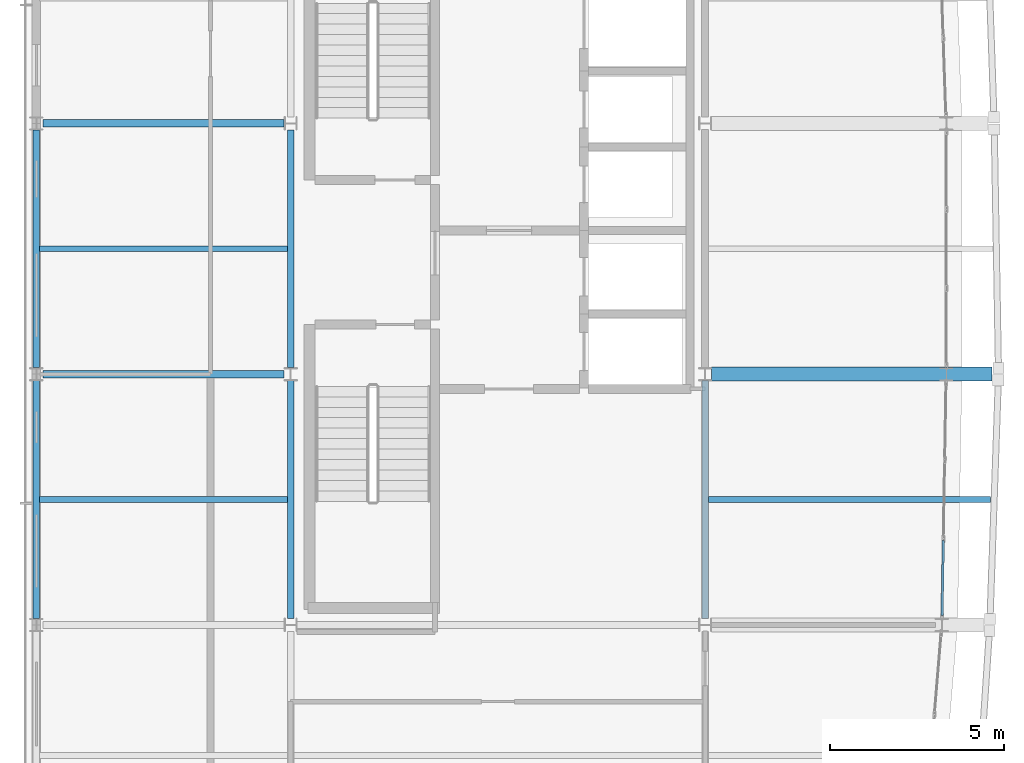
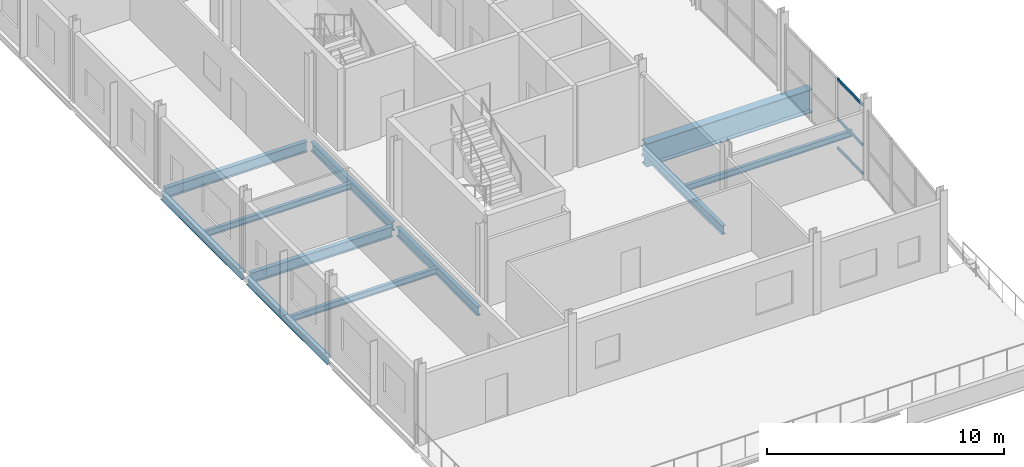
# One storey, part 4 of 19: 11 beams, 3 members, 1 element without a shape of its own.
"""IFC4 building model written with IfcOpenShell, lengths in metres."""

from ifc_helpers import new_model, si_unit, direction, frame, origin, origin_2d, place, context, subcontext, project, spatial, hollow_rectangle, i_section, extrude, material, layer, layer_set, material_profile, profile_set, type_object, element, aggregate, save


model = new_model("IFC4")

# Units and contexts
model_context = context("Model", 3, precision=1e-05, world=origin(), true_north=direction((0.0, 1.0)))
body_context = subcontext(model_context, "Body", "Model", "MODEL_VIEW")
ifc_project = project(units=[si_unit("LENGTHUNIT", "METRE"), si_unit("AREAUNIT", "SQUARE_METRE"), si_unit("VOLUMEUNIT", "CUBIC_METRE"), si_unit("PLANEANGLEUNIT", "RADIAN"), si_unit("MASSUNIT", "GRAM", prefix="KILO")], contexts=[model_context])

# Site, building, storey
site_placement = place(None, origin())
site = spatial("IfcSite", under=ifc_project, at=site_placement, CompositionType="ELEMENT")
building_placement = place(site_placement, origin())
building = spatial("IfcBuilding", under=site, at=building_placement, Name="Quillay Park Conservatory", CompositionType="ELEMENT")
storey_placement = place(building_placement, frame((0.0, 0.0, 35.10009765625)))
storey = spatial("IfcBuildingStorey", under=building, at=storey_placement, Name="L08", CompositionType="ELEMENT", Elevation=35.10009765625)

# Beams
ifc_material_1 = material(Name="Steel ASTM A992 Grade 50", Category="steel")
ifc_material_profile_1 = material_profile(ifc_material_1, i_section(OverallWidth=0.166015625, OverallDepth=0.31298828125, WebThickness=0.006591796875, FlangeThickness=0.01123046875, FilletRadius=0.010009765625, at=origin_2d()), Name="W310x45")
ifc_profile_set_1 = profile_set([ifc_material_profile_1], Name="Steel ASTM A992 Grade 50")
beam_type_1 = type_object("IfcBeamType", Name="COMPOSITE FLOOR JOIST W310 X45", PredefinedType="JOIST", material=ifc_profile_set_1)
beam_1_placement = place(storey_placement, frame((0.639892578125, 81.60009765625, -0.37158203125), z_axis=(1.0, 0.0, 0.0), x_axis=(0.0, 1.0, 0.0)))
element("IfcBeam", 1, at=beam_1_placement, inside=storey, type_object=beam_type_1, Name="L08 beam BM-J-0624", PredefinedType="JOIST", context=body_context, shape_type="SweptSolid", body=[
    extrude(i_section(OverallWidth=0.166015625, OverallDepth=0.31298828125, WebThickness=0.006591796875, FlangeThickness=0.01123046875, FilletRadius=0.010009765625, at=origin_2d()), origin(), (0.0, 0.0, 1.0), 7.114013671875),
])
beam_2_placement = place(storey_placement, frame((19.845947265625, 81.60009765625, -0.37158203125), z_axis=(1.0, 0.0, 0.0), x_axis=(0.0, 1.0, 0.0)))
element("IfcBeam", 2, at=beam_2_placement, inside=storey, type_object=beam_type_1, Name="L08 beam BM-J-0625", PredefinedType="JOIST", context=body_context, shape_type="SweptSolid", body=[
    extrude(i_section(OverallWidth=0.166015625, OverallDepth=0.31298828125, WebThickness=0.006591796875, FlangeThickness=0.01123046875, FilletRadius=0.010009765625, at=origin_2d()), origin(), (0.0, 0.0, 1.0), 8.10400390625),
])
beam_3_placement = place(storey_placement, frame((0.639892578125, 88.800048828125, -0.37158203125), z_axis=(1.0, 0.0, 0.0), x_axis=(0.0, 1.0, 0.0)))
element("IfcBeam", 3, at=beam_3_placement, inside=storey, type_object=beam_type_1, Name="L08 beam BM-J-0630", PredefinedType="JOIST", context=body_context, shape_type="SweptSolid", body=[
    extrude(i_section(OverallWidth=0.166015625, OverallDepth=0.31298828125, WebThickness=0.006591796875, FlangeThickness=0.01123046875, FilletRadius=0.010009765625, at=origin_2d()), origin(), (0.0, 0.0, 1.0), 7.114013671875),
])

# Curtain wall, members
ifc_material_2 = material(Name="Thermally Broken Anodised Aluminium 6063-T6", Category="aluminium")
ifc_layer = layer(ifc_material_2, 0.179931640625)
ifc_layer_set = layer_set([ifc_layer], Name="UNITISED CURTAIN WALL TOWER (Thermally Broken Anodised Aluminium 6063-T6)")
curtain_wall_type = type_object("IfcCurtainWallType", Name="UNITISED CURTAIN WALL TOWER", PredefinedType="USERDEFINED", material=ifc_layer_set)
curtain_wall_placement = place(storey_placement, origin())
curtain_wall = element("IfcCurtainWall", 4, at=curtain_wall_placement, inside=storey, type_object=curtain_wall_type, Name="L08 Unitised Curtain Wall 079", ObjectType="UNITISED CURTAIN WALL", PredefinedType="USERDEFINED")
ifc_material_3 = material(Name="Thermally Broken Anodised Aluminium 6063-T6", Category="aluminium")
ifc_material_profile_2 = material_profile(ifc_material_3, hollow_rectangle(XDim=0.070068359375, YDim=0.1298828125, WallThickness=0.003173828125, at=origin_2d()), Name="AL70x130x3.2")
ifc_profile_set_2 = profile_set([ifc_material_profile_2], Name="Thermally Broken Anodised Aluminium 6063-T6")
member_type = type_object("IfcMemberType", Name="CURTAIN WALL TRANSOM 70 X130", PredefinedType="USERDEFINED", material=ifc_profile_set_2)
member_1_placement = place(storey_placement, frame((26.59228515625, 80.431640625, 0.034912109375), z_axis=(-0.01739063822, -0.999848771416, 0.0), x_axis=(0.999848771416, -0.01739063822, 0.0)))
member_1 = element("IfcMember", 5, at=member_1_placement, type_object=member_type, Name="CW-T1 transom 3.1", ObjectType="TRANSOM", PredefinedType="USERDEFINED", context=body_context, shape_type="SweptSolid", body=[
    extrude(hollow_rectangle(XDim=0.070068359375, YDim=0.1298828125, WallThickness=0.003173828125, at=origin_2d()), origin(), (0.0, 0.0, 1.0), 2.161865234375),
])
member_2_placement = place(storey_placement, frame((26.59228515625, 80.431640625, 1.511474609375), z_axis=(-0.01739063822, -0.999848771416, 0.0), x_axis=(0.999848771416, -0.01739063822, 0.0)))
member_2 = element("IfcMember", 6, at=member_2_placement, type_object=member_type, Name="CW-T1 transom 3.2", ObjectType="TRANSOM", PredefinedType="USERDEFINED", context=body_context, shape_type="SweptSolid", body=[
    extrude(hollow_rectangle(XDim=0.070068359375, YDim=0.1298828125, WallThickness=0.003173828125, at=origin_2d()), origin(), (0.0, 0.0, 1.0), 2.161865234375),
])
member_3_placement = place(storey_placement, frame((26.59228515625, 80.431640625, 3.56396484375), z_axis=(-0.01739063822, -0.999848771416, 0.0), x_axis=(0.999848771416, -0.01739063822, 0.0)))
member_3 = element("IfcMember", 7, at=member_3_placement, type_object=member_type, Name="CW-T1 transom 3.3", ObjectType="TRANSOM", PredefinedType="USERDEFINED", context=body_context, shape_type="SweptSolid", body=[
    extrude(hollow_rectangle(XDim=0.070068359375, YDim=0.1298828125, WallThickness=0.003173828125, at=origin_2d()), origin(), (0.0, 0.0, 1.0), 2.161865234375),
])
aggregate(curtain_wall, [member_1, member_2, member_3])

# Beams
ifc_material_4 = material(Name="Steel ASTM A992 Grade 50", Category="steel")
ifc_material_profile_3 = material_profile(ifc_material_4, i_section(OverallWidth=0.179931640625, OverallDepth=0.4130859375, WebThickness=0.009765625, FlangeThickness=0.01611328125, FilletRadius=0.011962890625, at=origin_2d()), Name="W410x74")
ifc_profile_set_3 = profile_set([ifc_material_profile_3], Name="Steel ASTM A992 Grade 50")
beam_type_2 = type_object("IfcBeamType", Name="PERIMETER SPANDREL BEAM W410 X74", PredefinedType="SPANDREL", material=ifc_profile_set_3)
beam_4_placement = place(storey_placement, frame((0.550048828125, 78.18603515625, -0.421630859375), z_axis=(0.0, 1.0, 0.0), x_axis=(-1.0, 0.0, 0.0)))
element("IfcBeam", 8, at=beam_4_placement, inside=storey, type_object=beam_type_2, Name="L08 beam BM-SPW-0620", PredefinedType="SPANDREL", context=body_context, shape_type="SweptSolid", body=[
    extrude(i_section(OverallWidth=0.179931640625, OverallDepth=0.4130859375, WebThickness=0.009765625, FlangeThickness=0.01611328125, FilletRadius=0.011962890625, at=origin_2d()), origin(), (0.0, 0.0, 1.0), 6.827880859375),
])
beam_5_placement = place(storey_placement, frame((0.550048828125, 85.385986328125, -0.421630859375), z_axis=(0.0, 1.0, 0.0), x_axis=(-1.0, 0.0, 0.0)))
element("IfcBeam", 9, at=beam_5_placement, inside=storey, type_object=beam_type_2, Name="L08 beam BM-SPW-0626", PredefinedType="SPANDREL", context=body_context, shape_type="SweptSolid", body=[
    extrude(i_section(OverallWidth=0.179931640625, OverallDepth=0.4130859375, WebThickness=0.009765625, FlangeThickness=0.01611328125, FilletRadius=0.011962890625, at=origin_2d()), origin(), (0.0, 0.0, 1.0), 6.828125),
])
ifc_material_5 = material(Name="Steel ASTM A992 Grade 50", Category="steel")
ifc_material_profile_4 = material_profile(ifc_material_5, i_section(OverallWidth=0.19189453125, OverallDepth=0.462890625, WebThickness=0.010498046875, FlangeThickness=0.017578125, FilletRadius=0.012939453125, at=origin_2d()), Name="W460x89")
ifc_profile_set_4 = profile_set([ifc_material_profile_4], Name="Steel ASTM A992 Grade 50")
beam_type_3 = type_object("IfcBeamType", Name="PRIMARY FLOOR GIRDER W460 X89", PredefinedType="BEAM", material=ifc_profile_set_4)
for number, where, z_axis, x_axis, name in (
    (10, (7.85009765625, 78.18603515625, -0.446533203125), (0.0, 1.0, 0.0), (-1.0, 0.0, 0.0), "L08 beam BM-GNS-0622"),
    (11, (19.75, 78.18603515625, -0.446533203125), (0.0, 1.0, 0.0), (-1.0, 0.0, 0.0), "L08 beam BM-GNS-0623"),
):
    element("IfcBeam", number, at=place(storey_placement, frame(where, z_axis=z_axis, x_axis=x_axis)), inside=storey, type_object=beam_type_3, Name=name, PredefinedType="BEAM", context=body_context, shape_type="SweptSolid", body=[
        extrude(i_section(OverallWidth=0.19189453125, OverallDepth=0.462890625, WebThickness=0.010498046875, FlangeThickness=0.017578125, FilletRadius=0.012939453125, at=origin_2d()), origin(), (0.0, 0.0, 1.0), 6.826904296875),
    ])
beam_6_placement = place(storey_placement, frame((7.85009765625, 85.386962890625, -0.446533203125), z_axis=(0.0, 1.0, 0.0), x_axis=(-1.0, 0.0, 0.0)))
element("IfcBeam", 12, at=beam_6_placement, inside=storey, type_object=beam_type_3, Name="L08 beam BM-GNS-0628", PredefinedType="BEAM", context=body_context, shape_type="SweptSolid", body=[
    extrude(i_section(OverallWidth=0.19189453125, OverallDepth=0.462890625, WebThickness=0.010498046875, FlangeThickness=0.017578125, FilletRadius=0.012939453125, at=origin_2d()), origin(), (0.0, 0.0, 1.0), 6.8271484375),
])
ifc_material_6 = material(Name="Steel ASTM A992 Grade 50", Category="steel")
ifc_material_profile_5 = material_profile(ifc_material_6, i_section(OverallWidth=0.2109375, OverallDepth=0.5390625, WebThickness=0.01171875, FlangeThickness=0.018798828125, FilletRadius=0.013916015625, at=origin_2d()), Name="W530x109")
ifc_profile_set_5 = profile_set([ifc_material_profile_5], Name="Steel ASTM A992 Grade 50")
beam_type_4 = type_object("IfcBeamType", Name="PRIMARY FLOOR GIRDER W530 X109", PredefinedType="BEAM", material=ifc_profile_set_5)
beam_7_placement = place(storey_placement, frame((0.737060546875, 85.199951171875, -0.484619140625), z_axis=(1.0, 0.0, 0.0), x_axis=(0.0, 1.0, 0.0)))
element("IfcBeam", 13, at=beam_7_placement, inside=storey, type_object=beam_type_4, Name="L08 beam BM-G-0593", PredefinedType="BEAM", context=body_context, shape_type="SweptSolid", body=[
    extrude(i_section(OverallWidth=0.2109375, OverallDepth=0.5390625, WebThickness=0.01171875, FlangeThickness=0.018798828125, FilletRadius=0.013916015625, at=origin_2d()), origin(), (0.0, 0.0, 1.0), 6.927001953125),
])
beam_8_placement = place(storey_placement, frame((0.737060546875, 92.39990234375, -0.484619140625), z_axis=(1.0, 0.0, 0.0), x_axis=(0.0, 1.0, 0.0)))
element("IfcBeam", 14, at=beam_8_placement, inside=storey, type_object=beam_type_4, Name="L08 beam BM-G-0595", PredefinedType="BEAM", context=body_context, shape_type="SweptSolid", body=[
    extrude(i_section(OverallWidth=0.2109375, OverallDepth=0.5390625, WebThickness=0.01171875, FlangeThickness=0.018798828125, FilletRadius=0.013916015625, at=origin_2d()), origin(), (0.0, 0.0, 1.0), 6.926025390625),
])
ifc_material_7 = material(Name="Steel ASTM A572 Grade 50", Category="steel")
ifc_material_profile_6 = material_profile(ifc_material_7, i_section(OverallWidth=0.39990234375, OverallDepth=1.199951171875, WebThickness=0.02001953125, FlangeThickness=0.0380859375, at=origin_2d()), Name="IG1200x400")
ifc_profile_set_6 = profile_set([ifc_material_profile_6], Name="Steel ASTM A572 Grade 50")
beam_type_5 = type_object("IfcBeamType", Name="TRANSFER PLATE GIRDER IG1200", PredefinedType="USERDEFINED", material=ifc_profile_set_6)
beam_9_placement = place(storey_placement, frame((19.93603515625, 85.199951171875, -0.815185546875), z_axis=(1.0, 0.0, 0.0), x_axis=(0.0, 1.0, 0.0)))
element("IfcBeam", 15, at=beam_9_placement, inside=storey, type_object=beam_type_5, Name="L08 beam BM-TG2-0594", ObjectType="TRANSFER PLATE GIRDER", PredefinedType="USERDEFINED", context=body_context, shape_type="SweptSolid", body=[
    extrude(i_section(OverallWidth=0.39990234375, OverallDepth=1.199951171875, WebThickness=0.02001953125, FlangeThickness=0.0380859375, at=origin_2d()), origin(), (0.0, 0.0, 1.0), 8.052001953125),
])

save(model, "model.ifc")
